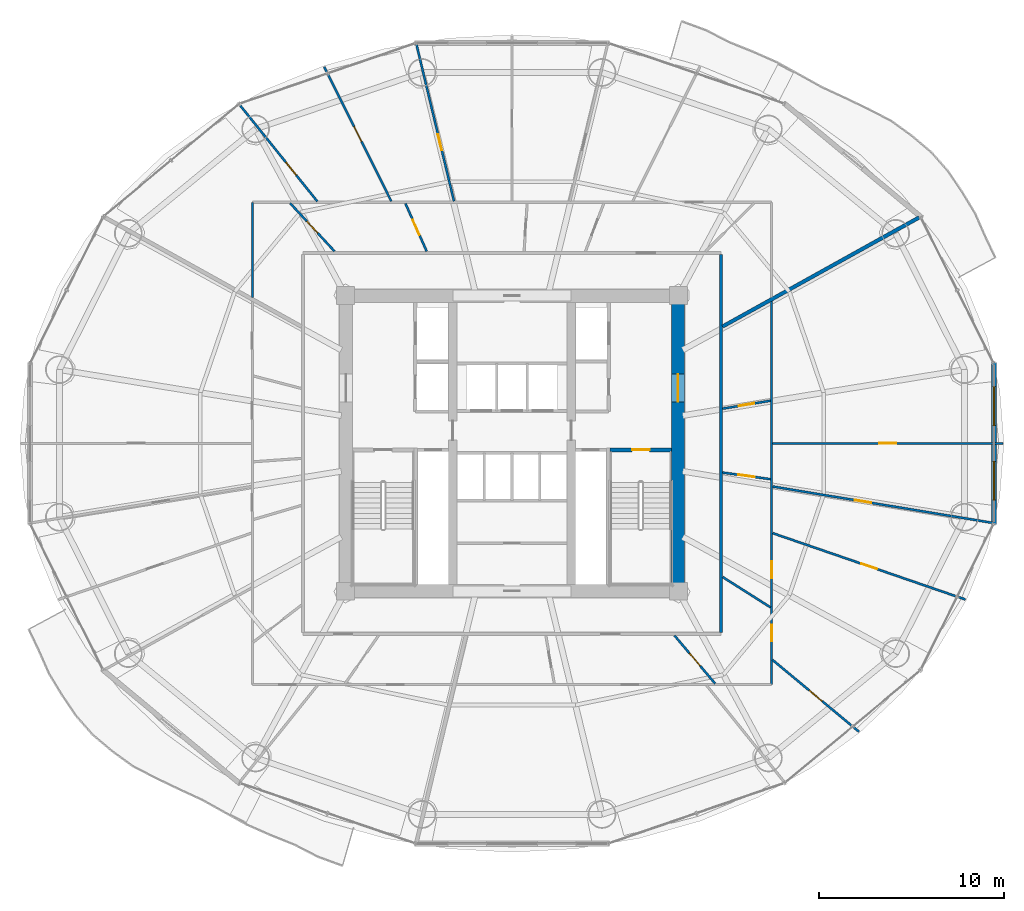
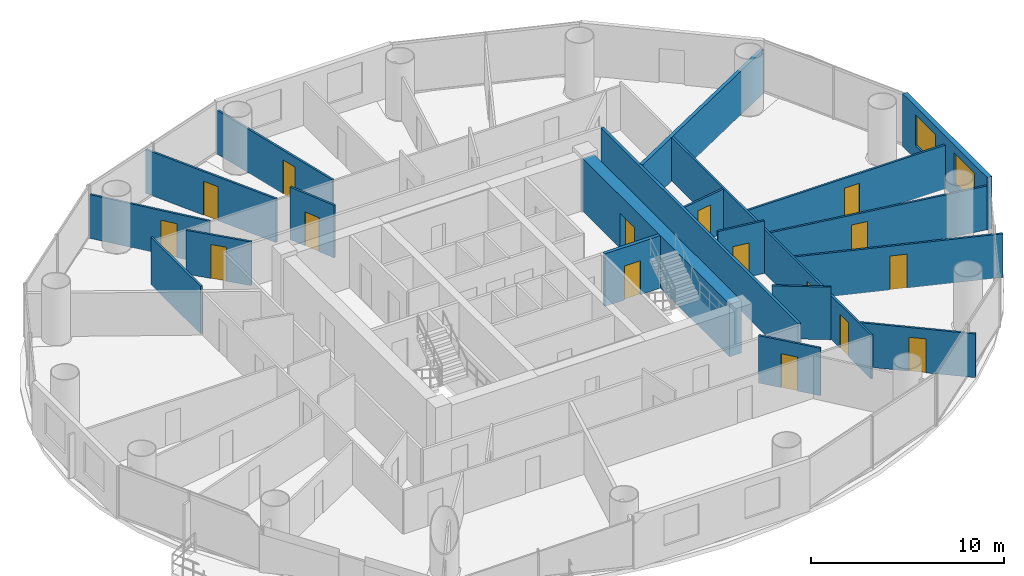
# One storey, part 24 of 29: 20 walls, 16 doors, 2 windows, 18 openings.
"""IFC4 building model written with IfcOpenShell, lengths in metres."""

from ifc_helpers import new_model, si_unit, direction, frame, frame_2d, origin, place, context, subcontext, project, spatial, rectangle, extrude, source, transform, mapped, material, layer, layer_set, type_object, element, fill, save


model = new_model("IFC4")

# Units and contexts
model_context = context("Model", 3, precision=1e-05, world=origin(), true_north=direction((-0.2419218956, 0.970295726276)))
body_context = subcontext(model_context, "Body", "Model", "MODEL_VIEW")
ifc_project = project(units=[si_unit("LENGTHUNIT", "METRE"), si_unit("AREAUNIT", "SQUARE_METRE"), si_unit("VOLUMEUNIT", "CUBIC_METRE"), si_unit("PLANEANGLEUNIT", "RADIAN"), si_unit("MASSUNIT", "GRAM", prefix="KILO")], contexts=[model_context])

# Site, building, storey
site_placement = place(None, origin())
site = spatial("IfcSite", under=ifc_project, at=site_placement, CompositionType="ELEMENT")
building_placement = place(site_placement, origin())
building = spatial("IfcBuilding", under=site, at=building_placement, Name="Cobrevalo Terracotta Tower", CompositionType="ELEMENT")
storey_placement = place(building_placement, frame((0.0, 0.0, 97.800048828125)))
storey = spatial("IfcBuildingStorey", under=building, at=storey_placement, Name="L25", CompositionType="ELEMENT", Elevation=97.800048828125)

# Wall, opening, door
ifc_material_1 = material(Name="Concrete C60", Category="concrete")
ifc_layer_1 = layer(ifc_material_1, 0.699951171875)
ifc_layer_set_1 = layer_set([ifc_layer_1], Name="Concrete C60")
wall_type_1 = type_object("IfcWallType", Name="Core shear wall 700 mm Concrete C60", PredefinedType="SHEAR", material=ifc_layer_set_1)
wall_1_placement = place(storey_placement, frame((46.97509765625, 19.175048828125, 0.0), z_axis=(0.0, 0.0, 1.0), x_axis=(0.0, 1.0, 0.0)))
wall_1 = element("IfcWall", 1, at=wall_1_placement, inside=storey, type_object=wall_type_1, Name="L25 east core shear wall", PredefinedType="SHEAR", context=body_context, shape_type="SweptSolid", body=[
    extrude(rectangle(XDim=15.25, YDim=0.699951171875, at=frame_2d((7.625, 0.0))), origin(), (0.0, 0.0, 1.0), 3.324951171875),
])
opening_1_placement = place(wall_1_placement, frame((9.875, 0.0, 0.0)))
opening_1 = element("IfcOpeningElement", 2, at=opening_1_placement, cuts=wall_1, Name="Opening ID-14", PredefinedType="OPENING", context=body_context, shape_type="SweptSolid", body=[
    extrude(rectangle(XDim=1.5, YDim=2.199951171875, at=frame_2d((0.75, 1.10009765625))), frame((0.0, 0.35986328125, 0.0), z_axis=(0.0, -1.0, 0.0), x_axis=(1.0, 0.0, 0.0)), (0.0, 0.0, 1.0), 0.719970703125),
])
ifc_material_2 = material(Name="Galvanized fire-rated steel", Category="steel")
door_type_1 = type_object("IfcDoorType", Name="Core cross-lobby double fire door 1500x2200 EI 90", OperationType="NOTDEFINED", PredefinedType="DOOR", material=ifc_material_2)
shared_shape_1 = source(origin(), body_context, "Body", "SweptSolid", [
    extrude(rectangle(XDim=1.5, YDim=2.199951171875, at=frame_2d((0.75, 1.10009765625))), frame((0.0, 0.02490234375, 0.0), z_axis=(0.0, -1.0, 0.0), x_axis=(1.0, 0.0, 0.0)), (0.0, 0.0, 1.0), 0.050048828125),
])
door_1_placement = place(opening_1_placement, frame((1.5, 0.0, 0.0), z_axis=(0.0, 0.0, 1.0), x_axis=(-1.0, 0.0, 0.0)))
door_1 = element("IfcDoor", 3, at=door_1_placement, inside=storey, type_object=door_type_1, Name="L25 east firefighting lobby entrance door", OperationType="DOUBLE_DOOR_SINGLE_SWING", OverallHeight=2.199951171875, OverallWidth=1.5, PredefinedType="DOOR", context=body_context, shape_type="MappedRepresentation", body=[
    mapped(shared_shape_1, transform((0.0, 0.0, 0.0), scale=1.0)),
])
fill(opening_1, door_1)

# Walls
ifc_material_3 = material(Name="Gypsum board on steel stud", Category="steel")
ifc_layer_2 = layer(ifc_material_3, 0.159912109375)
ifc_layer_set_2 = layer_set([ifc_layer_2], Name="Gypsum board on steel stud")
wall_type_2 = type_object("IfcWallType", Name="Fire-rated corridor acoustic partition wall 160 mm", PredefinedType="PARTITIONING", material=ifc_layer_set_2)
wall_2_placement = place(storey_placement, frame((49.304931640625, 16.574951171875, 0.0), z_axis=(0.0, 0.0, 1.0), x_axis=(0.0, 1.0, 0.0)))
element("IfcWall", 4, at=wall_2_placement, inside=storey, type_object=wall_type_2, Name="L25 interior partition IW-L25-COR-E", PredefinedType="PARTITIONING", context=body_context, shape_type="SweptSolid", body=[
    extrude(rectangle(XDim=20.449951171875, YDim=0.159912109375, at=frame_2d((10.22509765625, 0.0))), origin(), (0.0, 0.0, 1.0), 2.766845703125),
])
ifc_material_4 = material(Name="Autoclaved aerated concrete block", Category="concrete")
ifc_layer_3 = layer(ifc_material_4, 0.199951171875)
ifc_layer_set_3 = layer_set([ifc_layer_3], Name="Autoclaved aerated concrete block")
wall_type_3 = type_object("IfcWallType", Name="Fire-rated stair, shaft & demising masonry wall 200 mm", PredefinedType="PARTITIONING", material=ifc_layer_set_3)
wall_3_placement = place(storey_placement, frame((49.38671875, 33.121337890625, 0.0), z_axis=(0.0, 0.0, 1.0), x_axis=(0.874320165728, 0.485349613992, 0.0)))
element("IfcWall", 5, at=wall_3_placement, inside=storey, type_object=wall_type_3, Name="L25 interior partition IW-L25-DEM-1", PredefinedType="PARTITIONING", context=body_context, shape_type="SweptSolid", body=[
    extrude(rectangle(XDim=12.156494140625, YDim=0.199951171875, at=frame_2d((6.078125, 0.0))), origin(), (0.0, 0.0, 1.0), 2.766845703125),
])

# Wall, openings, windows
ifc_layer_4 = layer(ifc_material_4, 0.280029296875)
ifc_layer_set_4 = layer_set([ifc_layer_4], Name="Autoclaved aerated concrete block")
wall_type_4 = type_object("IfcWallType", Name="Insulated tower spandrel & pier wall 280 mm with terracotta rainscreen", PredefinedType="SOLIDWALL", material=ifc_layer_set_4)
wall_4_placement = place(storey_placement, frame((64.0595703125, 22.414306640625, 0.0), z_axis=(0.0, 0.0, 1.0), x_axis=(0.0, 1.0, 0.0)))
wall_4 = element("IfcWall", 6, at=wall_4_placement, inside=storey, type_object=wall_type_4, Name="L25 terracotta rainscreen pier wall S16", PredefinedType="SOLIDWALL", context=body_context, shape_type="SweptSolid", body=[
    extrude(rectangle(XDim=8.771240234375, YDim=0.280029296875, at=frame_2d((4.3857421875, 0.0))), origin(), (0.0, 0.0, 1.0), 3.324951171875),
])
opening_2_placement = place(wall_4_placement, frame((1.318115234375, 0.0, 0.85009765625)))
opening_2 = element("IfcOpeningElement", 7, at=opening_2_placement, cuts=wall_4, Name="Opening WN-10", PredefinedType="OPENING", context=body_context, shape_type="SweptSolid", body=[
    extrude(rectangle(XDim=2.10009765625, YDim=1.949951171875, at=frame_2d((1.050048828125, 0.97509765625))), frame((0.0, 0.14990234375, 0.0), z_axis=(0.0, -1.0, 0.0), x_axis=(1.0, 0.0, 0.0)), (0.0, 0.0, 1.0), 0.300048828125),
])
opening_3_placement = place(wall_4_placement, frame((5.35302734375, 0.0, 0.85009765625)))
opening_3 = element("IfcOpeningElement", 8, at=opening_3_placement, cuts=wall_4, Name="Opening WN-10", PredefinedType="OPENING", context=body_context, shape_type="SweptSolid", body=[
    extrude(rectangle(XDim=2.10009765625, YDim=1.949951171875, at=frame_2d((1.050048828125, 0.97509765625))), frame((0.0, 0.14990234375, 0.0), z_axis=(0.0, -1.0, 0.0), x_axis=(1.0, 0.0, 0.0)), (0.0, 0.0, 1.0), 0.300048828125),
])
ifc_material_5 = material(Name="Solar-control low-E double glazing", Category="glass")
window_type = type_object("IfcWindowType", Name="Wide panoramic low-E aluminium window 2100x1950", PartitioningType="SINGLE_PANEL", PredefinedType="WINDOW", material=ifc_material_5)
shared_shape_2 = source(origin(), body_context, "Body", "SweptSolid", [
    extrude(rectangle(XDim=2.10009765625, YDim=1.949951171875, at=frame_2d((1.050048828125, 0.97509765625))), frame((0.0, 0.030029296875, 0.0), z_axis=(0.0, -1.0, 0.0), x_axis=(1.0, 0.0, 0.0)), (0.0, 0.0, 1.0), 0.06005859375),
])
window_1_placement = place(opening_2_placement, origin())
window_1 = element("IfcWindow", 9, at=window_1_placement, inside=storey, type_object=window_type, Name="L25 suite window S16A", OverallHeight=1.949951171875, OverallWidth=2.10009765625, PartitioningType="SINGLE_PANEL", PredefinedType="WINDOW", context=body_context, shape_type="MappedRepresentation", body=[
    mapped(shared_shape_2, transform((0.0, 0.0, 0.0), scale=1.0)),
])
fill(opening_2, window_1)
window_2_placement = place(opening_3_placement, origin())
window_2 = element("IfcWindow", 10, at=window_2_placement, inside=storey, type_object=window_type, Name="L25 suite window S16B", OverallHeight=1.949951171875, OverallWidth=2.10009765625, PartitioningType="SINGLE_PANEL", PredefinedType="WINDOW", context=body_context, shape_type="MappedRepresentation", body=[
    mapped(shared_shape_2, transform((0.0, 0.0, 0.0), scale=1.0)),
])
fill(opening_3, window_2)

# Wall
ifc_layer_5 = layer(ifc_material_3, 0.1201171875)
ifc_layer_set_5 = layer_set([ifc_layer_5], Name="Gypsum board on steel stud")
wall_type_5 = type_object("IfcWallType", Name="Residential internal acoustic stud partition 120 mm", PredefinedType="PARTITIONING", material=ifc_layer_set_5)
wall_5_placement = place(storey_placement, frame((23.965087890625, 34.693359375, 0.0), z_axis=(0.0, 0.0, 1.0), x_axis=(0.0, 1.0, 0.0)))
element("IfcWall", 11, at=wall_5_placement, inside=storey, type_object=wall_type_5, Name="L25 interior partition IW-L25-U1-RING0_0", PredefinedType="PARTITIONING", context=body_context, shape_type="SweptSolid", body=[
    extrude(rectangle(XDim=5.1416015625, YDim=0.1201171875, at=frame_2d((2.57080078125, 0.0))), origin(), (0.0, 0.0, 1.0), 3.00390625),
])

# Wall, opening, door
wall_6_placement = place(storey_placement, frame((34.86474609375, 39.895263671875, 0.0), z_axis=(0.0, 0.0, 1.0), x_axis=(-0.23282725047, 0.97251810854, 0.0)))
wall_6 = element("IfcWall", 12, at=wall_6_placement, inside=storey, type_object=wall_type_5, Name="L25 interior partition IW-L25-U1-ORAD3", PredefinedType="PARTITIONING", context=body_context, shape_type="SweptSolid", body=[
    extrude(rectangle(XDim=8.71484375, YDim=0.1201171875, at=frame_2d((4.357421875, 0.0))), origin(), (0.0, 0.0, 1.0), 2.766845703125),
])
opening_4_placement = place(wall_6_placement, frame((2.830078125, 0.0, 0.0)))
opening_4 = element("IfcOpeningElement", 13, at=opening_4_placement, cuts=wall_6, Name="Opening ID-12", PredefinedType="OPENING", context=body_context, shape_type="SweptSolid", body=[
    extrude(rectangle(XDim=0.89990234375, YDim=2.14990234375, at=frame_2d((0.449951171875, 1.074951171875))), frame((0.0, 0.070068359375, 0.0), z_axis=(0.0, -1.0, 0.0), x_axis=(1.0, 0.0, 0.0)), (0.0, 0.0, 1.0), 0.14013671875),
])
ifc_material_6 = material(Name="Engineered timber", Category="wood")
door_type_2 = type_object("IfcDoorType", Name="Internal residence & suite timber door 900x2150", OperationType="NOTDEFINED", PredefinedType="DOOR", material=ifc_material_6)
shared_shape_3 = source(origin(), body_context, "Body", "SweptSolid", [
    extrude(rectangle(XDim=0.89990234375, YDim=2.14990234375, at=frame_2d((0.449951171875, 1.074951171875))), frame((0.0, 0.02490234375, 0.0), z_axis=(0.0, -1.0, 0.0), x_axis=(1.0, 0.0, 0.0)), (0.0, 0.0, 1.0), 0.050048828125),
])
door_2_placement = place(opening_4_placement, origin())
door_2 = element("IfcDoor", 14, at=door_2_placement, inside=storey, type_object=door_type_2, Name="Flat L25A South Bedroom internal door", OperationType="SINGLE_SWING_LEFT", OverallHeight=2.14990234375, OverallWidth=0.89990234375, PredefinedType="DOOR", context=body_context, shape_type="MappedRepresentation", body=[
    mapped(shared_shape_3, transform((0.0, 0.0, 0.0), scale=1.0)),
])
fill(opening_4, door_2)

wall_7_placement = place(storey_placement, frame((31.4736328125, 39.890380859375, 0.0), z_axis=(0.0, 0.0, 1.0), x_axis=(-0.446167584581, 0.894949432353, 0.0)))
wall_7 = element("IfcWall", 15, at=wall_7_placement, inside=storey, type_object=wall_type_5, Name="L25 interior partition IW-L25-U1-ORAD4M1", PredefinedType="PARTITIONING", context=body_context, shape_type="SweptSolid", body=[
    extrude(rectangle(XDim=8.124755859375, YDim=0.1201171875, at=frame_2d((4.0625, 0.0))), origin(), (0.0, 0.0, 1.0), 2.766845703125),
])
opening_5_placement = place(wall_7_placement, frame((3.6123046875, 0.0, 0.0)))
opening_5 = element("IfcOpeningElement", 16, at=opening_5_placement, cuts=wall_7, Name="Opening ID-12", PredefinedType="OPENING", context=body_context, shape_type="SweptSolid", body=[
    extrude(rectangle(XDim=0.89990234375, YDim=2.14990234375, at=frame_2d((0.449951171875, 1.074951171875))), frame((0.0, 0.070068359375, 0.0), z_axis=(0.0, -1.0, 0.0), x_axis=(1.0, 0.0, 0.0)), (0.0, 0.0, 1.0), 0.14013671875),
])
door_3_placement = place(opening_5_placement, origin())
door_3 = element("IfcDoor", 17, at=door_3_placement, inside=storey, type_object=door_type_2, Name="Flat L25A Penthouse Family Lounge internal door", OperationType="SINGLE_SWING_RIGHT", OverallHeight=2.14990234375, OverallWidth=0.89990234375, PredefinedType="DOOR", context=body_context, shape_type="MappedRepresentation", body=[
    mapped(shared_shape_3, transform((0.0, 0.0, 0.0), scale=1.0)),
])
fill(opening_5, door_3)

wall_8_placement = place(storey_placement, frame((27.47802734375, 39.88330078125, 0.0), z_axis=(0.0, 0.0, 1.0), x_axis=(-0.62672583251, 0.779239841682, 0.0)))
wall_8 = element("IfcWall", 18, at=wall_8_placement, inside=storey, type_object=wall_type_5, Name="L25 interior partition IW-L25-U1-ORAD4", PredefinedType="PARTITIONING", context=body_context, shape_type="SweptSolid", body=[
    extrude(rectangle(XDim=6.678466796875, YDim=0.1201171875, at=frame_2d((3.33935546875, 0.0))), origin(), (0.0, 0.0, 1.0), 2.766845703125),
])
opening_6_placement = place(wall_8_placement, frame((1.8212890625, 0.0, 0.0)))
opening_6 = element("IfcOpeningElement", 19, at=opening_6_placement, cuts=wall_8, Name="Opening ID-12", PredefinedType="OPENING", context=body_context, shape_type="SweptSolid", body=[
    extrude(rectangle(XDim=0.89990234375, YDim=2.14990234375, at=frame_2d((0.449951171875, 1.074951171875))), frame((0.0, 0.070068359375, 0.0), z_axis=(0.0, -1.0, 0.0), x_axis=(1.0, 0.0, 0.0)), (0.0, 0.0, 1.0), 0.14013671875),
])
door_4_placement = place(opening_6_placement, origin())
door_4 = element("IfcDoor", 20, at=door_4_placement, inside=storey, type_object=door_type_2, Name="Flat L25A Penthouse Family Lounge internal door", OperationType="SINGLE_SWING_LEFT", OverallHeight=2.14990234375, OverallWidth=0.89990234375, PredefinedType="DOOR", context=body_context, shape_type="MappedRepresentation", body=[
    mapped(shared_shape_3, transform((0.0, 0.0, 0.0), scale=1.0)),
])
fill(opening_6, door_4)

wall_9_placement = place(storey_placement, frame((33.388671875, 37.18505859375, 0.0), z_axis=(0.0, 0.0, 1.0), x_axis=(-0.40585903307, 0.913935689902, 0.0)))
wall_9 = element("IfcWall", 21, at=wall_9_placement, inside=storey, type_object=wall_type_5, Name="L25 interior partition IW-L25-U1-IRAD4", PredefinedType="PARTITIONING", context=body_context, shape_type="SweptSolid", body=[
    extrude(rectangle(XDim=2.83740234375, YDim=0.1201171875, at=frame_2d((1.418701171875, 0.0))), origin(), (0.0, 0.0, 1.0), 3.324951171875),
])
opening_7_placement = place(wall_9_placement, frame((0.96875, 0.0, 0.0)))
opening_7 = element("IfcOpeningElement", 22, at=opening_7_placement, cuts=wall_9, Name="Opening ID-12", PredefinedType="OPENING", context=body_context, shape_type="SweptSolid", body=[
    extrude(rectangle(XDim=0.89990234375, YDim=2.14990234375, at=frame_2d((0.449951171875, 1.074951171875))), frame((0.0, 0.070068359375, 0.0), z_axis=(0.0, -1.0, 0.0), x_axis=(1.0, 0.0, 0.0)), (0.0, 0.0, 1.0), 0.14013671875),
])
door_5_placement = place(opening_7_placement, origin())
door_5 = element("IfcDoor", 23, at=door_5_placement, inside=storey, type_object=door_type_2, Name="Flat L25A Private Wellness Room internal door", OperationType="SINGLE_SWING_RIGHT", OverallHeight=2.14990234375, OverallWidth=0.89990234375, PredefinedType="DOOR", context=body_context, shape_type="MappedRepresentation", body=[
    mapped(shared_shape_3, transform((0.0, 0.0, 0.0), scale=1.0)),
])
fill(opening_7, door_5)

wall_10_placement = place(storey_placement, frame((28.40869140625, 37.18505859375, 0.0), z_axis=(0.0, 0.0, 1.0), x_axis=(-0.678451695105, 0.734645014554, 0.0)))
wall_10 = element("IfcWall", 24, at=wall_10_placement, inside=storey, type_object=wall_type_5, Name="L25 interior partition IW-L25-U1-IRAD5", PredefinedType="PARTITIONING", context=body_context, shape_type="SweptSolid", body=[
    extrude(rectangle(XDim=3.545166015625, YDim=0.1201171875, at=frame_2d((1.7724609375, 0.0))), origin(), (0.0, 0.0, 1.0), 2.766845703125),
])
opening_8_placement = place(wall_10_placement, frame((1.342529296875, 0.0, 0.0)))
opening_8 = element("IfcOpeningElement", 25, at=opening_8_placement, cuts=wall_10, Name="Opening ID-19", PredefinedType="OPENING", context=body_context, shape_type="SweptSolid", body=[
    extrude(rectangle(XDim=0.860107421875, YDim=2.14990234375, at=frame_2d((0.43017578125, 1.074951171875))), frame((0.0, 0.070068359375, 0.0), z_axis=(0.0, -1.0, 0.0), x_axis=(1.0, 0.0, 0.0)), (0.0, 0.0, 1.0), 0.14013671875),
])
ifc_material_7 = material(Name="Moisture-sealed timber", Category="wood")
door_type_3 = type_object("IfcDoorType", Name="Suite bathroom internal timber door 860x2150", OperationType="NOTDEFINED", PredefinedType="DOOR", material=ifc_material_7)
shared_shape_4 = source(origin(), body_context, "Body", "SweptSolid", [
    extrude(rectangle(XDim=0.860107421875, YDim=2.14990234375, at=frame_2d((0.43017578125, 1.074951171875))), frame((0.0, 0.02490234375, 0.0), z_axis=(0.0, -1.0, 0.0), x_axis=(1.0, 0.0, 0.0)), (0.0, 0.0, 1.0), 0.050048828125),
])
door_6_placement = place(opening_8_placement, origin())
door_6 = element("IfcDoor", 26, at=door_6_placement, inside=storey, type_object=door_type_3, Name="Flat L25A Guest Bathroom internal door", OperationType="SINGLE_SWING_LEFT", OverallHeight=2.14990234375, OverallWidth=0.860107421875, PredefinedType="DOOR", context=body_context, shape_type="MappedRepresentation", body=[
    mapped(shared_shape_4, transform((0.0, 0.0, 0.0), scale=1.0)),
])
fill(opening_8, door_6)

# Wall, openings, doors
wall_11_placement = place(storey_placement, frame((52.034912109375, 34.489501953125, 0.0), z_axis=(0.0, 0.0, 1.0), x_axis=(0.0, -1.0, 0.0)))
wall_11 = element("IfcWall", 27, at=wall_11_placement, inside=storey, type_object=wall_type_5, Name="L25 interior partition IW-L25-U3-RING0_0", PredefinedType="PARTITIONING", context=body_context, shape_type="SweptSolid", body=[
    extrude(rectangle(XDim=20.724609375, YDim=0.1201171875, at=frame_2d((10.3623046875, 0.0))), origin(), (0.0, 0.0, 1.0), 2.766845703125),
])
opening_9_placement = place(wall_11_placement, frame((17.4931640625, 0.0, 0.0)))
opening_9 = element("IfcOpeningElement", 28, at=opening_9_placement, cuts=wall_11, Name="Opening ID-12", PredefinedType="OPENING", context=body_context, shape_type="SweptSolid", body=[
    extrude(rectangle(XDim=0.89990234375, YDim=2.14990234375, at=frame_2d((0.449951171875, 1.074951171875))), frame((0.0, 0.070068359375, 0.0), z_axis=(0.0, -1.0, 0.0), x_axis=(1.0, 0.0, 0.0)), (0.0, 0.0, 1.0), 0.14013671875),
])
opening_10_placement = place(wall_11_placement, frame((14.06396484375, 0.0, 0.0)))
opening_10 = element("IfcOpeningElement", 29, at=opening_10_placement, cuts=wall_11, Name="Opening ID-12", PredefinedType="OPENING", context=body_context, shape_type="SweptSolid", body=[
    extrude(rectangle(XDim=0.89990234375, YDim=2.14990234375, at=frame_2d((0.449951171875, 1.074951171875))), frame((0.0, 0.070068359375, 0.0), z_axis=(0.0, -1.0, 0.0), x_axis=(1.0, 0.0, 0.0)), (0.0, 0.0, 1.0), 0.14013671875),
])
door_7_placement = place(opening_9_placement, origin())
door_7 = element("IfcDoor", 30, at=door_7_placement, inside=storey, type_object=door_type_2, Name="Flat L25C Penthouse Family Lounge internal door", OperationType="SINGLE_SWING_RIGHT", OverallHeight=2.14990234375, OverallWidth=0.89990234375, PredefinedType="DOOR", context=body_context, shape_type="MappedRepresentation", body=[
    mapped(shared_shape_3, transform((0.0, 0.0, 0.0), scale=1.0)),
])
fill(opening_9, door_7)
door_8_placement = place(opening_10_placement, frame((0.89990234375, 0.0, 0.0), z_axis=(0.0, 0.0, 1.0), x_axis=(-1.0, 0.0, 0.0)))
door_8 = element("IfcDoor", 31, at=door_8_placement, inside=storey, type_object=door_type_2, Name="Flat L25C Utility Closet internal door", OperationType="SINGLE_SWING_LEFT", OverallHeight=2.14990234375, OverallWidth=0.89990234375, PredefinedType="DOOR", context=body_context, shape_type="MappedRepresentation", body=[
    mapped(shared_shape_3, transform((0.0, 0.0, 0.0), scale=1.0)),
])
fill(opening_10, door_8)

# Wall, opening, door
wall_12_placement = place(storey_placement, frame((52.082763671875, 15.099609375, 0.0), z_axis=(0.0, 0.0, 1.0), x_axis=(0.769161827891, -0.63905405289, 0.0)))
wall_12 = element("IfcWall", 32, at=wall_12_placement, inside=storey, type_object=wall_type_5, Name="L25 interior partition IW-L25-U3-ORAD2M1", PredefinedType="PARTITIONING", context=body_context, shape_type="SweptSolid", body=[
    extrude(rectangle(XDim=6.07958984375, YDim=0.1201171875, at=frame_2d((3.039794921875, 0.0))), origin(), (0.0, 0.0, 1.0), 2.766845703125),
])
opening_11_placement = place(wall_12_placement, frame((2.58984375, 0.0, 0.0)))
opening_11 = element("IfcOpeningElement", 33, at=opening_11_placement, cuts=wall_12, Name="Opening ID-12", PredefinedType="OPENING", context=body_context, shape_type="SweptSolid", body=[
    extrude(rectangle(XDim=0.89990234375, YDim=2.14990234375, at=frame_2d((0.449951171875, 1.074951171875))), frame((0.0, 0.070068359375, 0.0), z_axis=(0.0, -1.0, 0.0), x_axis=(1.0, 0.0, 0.0)), (0.0, 0.0, 1.0), 0.14013671875),
])
door_9_placement = place(opening_11_placement, frame((0.89990234375, 0.0, 0.0), z_axis=(0.0, 0.0, 1.0), x_axis=(-1.0, 0.0, 0.0)))
door_9 = element("IfcDoor", 34, at=door_9_placement, inside=storey, type_object=door_type_2, Name="Flat L25C Master Bedroom internal door", OperationType="SINGLE_SWING_RIGHT", OverallHeight=2.14990234375, OverallWidth=0.89990234375, PredefinedType="DOOR", context=body_context, shape_type="MappedRepresentation", body=[
    mapped(shared_shape_3, transform((0.0, 0.0, 0.0), scale=1.0)),
])
fill(opening_11, door_9)

wall_13_placement = place(storey_placement, frame((52.09375, 21.94970703125, 0.0), z_axis=(0.0, 0.0, 1.0), x_axis=(0.945573120726, -0.32540970078, 0.0)))
wall_13 = element("IfcWall", 35, at=wall_13_placement, inside=storey, type_object=wall_type_5, Name="L25 interior partition IW-L25-U3-ORAD2", PredefinedType="PARTITIONING", context=body_context, shape_type="SweptSolid", body=[
    extrude(rectangle(XDim=11.02197265625, YDim=0.1201171875, at=frame_2d((5.510986328125, 0.0))), origin(), (0.0, 0.0, 1.0), 2.766845703125),
])
opening_12_placement = place(wall_13_placement, frame((5.06103515625, 0.0, 0.0)))
opening_12 = element("IfcOpeningElement", 36, at=opening_12_placement, cuts=wall_13, Name="Opening ID-12", PredefinedType="OPENING", context=body_context, shape_type="SweptSolid", body=[
    extrude(rectangle(XDim=0.89990234375, YDim=2.14990234375, at=frame_2d((0.449951171875, 1.074951171875))), frame((0.0, 0.070068359375, 0.0), z_axis=(0.0, -1.0, 0.0), x_axis=(1.0, 0.0, 0.0)), (0.0, 0.0, 1.0), 0.14013671875),
])
door_10_placement = place(opening_12_placement, origin())
door_10 = element("IfcDoor", 37, at=door_10_placement, inside=storey, type_object=door_type_2, Name="Flat L25C Principal Guest Bedroom internal door", OperationType="SINGLE_SWING_LEFT", OverallHeight=2.14990234375, OverallWidth=0.89990234375, PredefinedType="DOOR", context=body_context, shape_type="MappedRepresentation", body=[
    mapped(shared_shape_3, transform((0.0, 0.0, 0.0), scale=1.0)),
])
fill(opening_12, door_10)

wall_14_placement = place(storey_placement, frame((52.09619140625, 24.470458984375, 0.0), z_axis=(0.0, 0.0, 1.0), x_axis=(0.986618264768, -0.163047231274, 0.0)))
wall_14 = element("IfcWall", 38, at=wall_14_placement, inside=storey, type_object=wall_type_5, Name="L25 interior partition IW-L25-U3-ORAD3M1", PredefinedType="PARTITIONING", context=body_context, shape_type="SweptSolid", body=[
    extrude(rectangle(XDim=12.038818359375, YDim=0.1201171875, at=frame_2d((6.01953125, 0.0))), origin(), (0.0, 0.0, 1.0), 2.766845703125),
])
opening_13_placement = place(wall_14_placement, frame((4.495849609375, 0.0, 0.0)))
opening_13 = element("IfcOpeningElement", 39, at=opening_13_placement, cuts=wall_14, Name="Opening ID-12", PredefinedType="OPENING", context=body_context, shape_type="SweptSolid", body=[
    extrude(rectangle(XDim=0.89990234375, YDim=2.14990234375, at=frame_2d((0.449951171875, 1.074951171875))), frame((0.0, 0.070068359375, 0.0), z_axis=(0.0, -1.0, 0.0), x_axis=(1.0, 0.0, 0.0)), (0.0, 0.0, 1.0), 0.14013671875),
])
door_11_placement = place(opening_13_placement, origin())
door_11 = element("IfcDoor", 40, at=door_11_placement, inside=storey, type_object=door_type_2, Name="Flat L25C Principal Guest Bedroom internal door", OperationType="SINGLE_SWING_RIGHT", OverallHeight=2.14990234375, OverallWidth=0.89990234375, PredefinedType="DOOR", context=body_context, shape_type="MappedRepresentation", body=[
    mapped(shared_shape_3, transform((0.0, 0.0, 0.0), scale=1.0)),
])
fill(opening_13, door_11)

wall_15_placement = place(storey_placement, frame((52.096923828125, 26.800048828125, 0.0), z_axis=(0.0, 0.0, 1.0), x_axis=(1.0, 0.0, 0.0)))
wall_15 = element("IfcWall", 41, at=wall_15_placement, inside=storey, type_object=wall_type_5, Name="L25 interior partition IW-L25-U3-ORAD3", PredefinedType="PARTITIONING", context=body_context, shape_type="SweptSolid", body=[
    extrude(rectangle(XDim=12.443115234375, YDim=0.1201171875, at=frame_2d((6.2216796875, 0.0))), origin(), (0.0, 0.0, 1.0), 2.766845703125),
])
opening_14_placement = place(wall_15_placement, frame((5.771484375, 0.0, 0.0)))
opening_14 = element("IfcOpeningElement", 42, at=opening_14_placement, cuts=wall_15, Name="Opening ID-12", PredefinedType="OPENING", context=body_context, shape_type="SweptSolid", body=[
    extrude(rectangle(XDim=0.89990234375, YDim=2.14990234375, at=frame_2d((0.449951171875, 1.074951171875))), frame((0.0, 0.070068359375, 0.0), z_axis=(0.0, -1.0, 0.0), x_axis=(1.0, 0.0, 0.0)), (0.0, 0.0, 1.0), 0.14013671875),
])
door_12_placement = place(opening_14_placement, origin())
door_12 = element("IfcDoor", 43, at=door_12_placement, inside=storey, type_object=door_type_2, Name="Flat L25C Penthouse Family Lounge internal door", OperationType="SINGLE_SWING_LEFT", OverallHeight=2.14990234375, OverallWidth=0.89990234375, PredefinedType="DOOR", context=body_context, shape_type="MappedRepresentation", body=[
    mapped(shared_shape_3, transform((0.0, 0.0, 0.0), scale=1.0)),
])
fill(opening_14, door_12)

wall_16_placement = place(storey_placement, frame((46.784912109375, 16.4150390625, 0.0), z_axis=(0.0, 0.0, 1.0), x_axis=(0.64582345164, -0.76348678398, 0.0)))
wall_16 = element("IfcWall", 44, at=wall_16_placement, inside=storey, type_object=wall_type_5, Name="L25 interior partition IW-L25-U3-IRAD2", PredefinedType="PARTITIONING", context=body_context, shape_type="SweptSolid", body=[
    extrude(rectangle(XDim=3.4091796875, YDim=0.1201171875, at=frame_2d((1.70458984375, 0.0))), origin(), (0.0, 0.0, 1.0), 3.00390625),
])
opening_15_placement = place(wall_16_placement, frame((1.25439453125, 0.0, 0.0)))
opening_15 = element("IfcOpeningElement", 45, at=opening_15_placement, cuts=wall_16, Name="Opening ID-12", PredefinedType="OPENING", context=body_context, shape_type="SweptSolid", body=[
    extrude(rectangle(XDim=0.89990234375, YDim=2.14990234375, at=frame_2d((0.449951171875, 1.074951171875))), frame((0.0, 0.070068359375, 0.0), z_axis=(0.0, -1.0, 0.0), x_axis=(1.0, 0.0, 0.0)), (0.0, 0.0, 1.0), 0.14013671875),
])
door_13_placement = place(opening_15_placement, origin())
door_13 = element("IfcDoor", 46, at=door_13_placement, inside=storey, type_object=door_type_2, Name="Flat L25C Kitchen internal door", OperationType="SINGLE_SWING_LEFT", OverallHeight=2.14990234375, OverallWidth=0.89990234375, PredefinedType="DOOR", context=body_context, shape_type="MappedRepresentation", body=[
    mapped(shared_shape_3, transform((0.0, 0.0, 0.0), scale=1.0)),
])
fill(opening_15, door_13)

# Wall
wall_17_placement = place(storey_placement, frame((49.38671875, 19.580078125, 0.0), z_axis=(0.0, 0.0, 1.0), x_axis=(0.844540118368, -0.535492286094, 0.0)))
element("IfcWall", 47, at=wall_17_placement, inside=storey, type_object=wall_type_5, Name="L25 interior partition IW-L25-U3-IRAD3", PredefinedType="PARTITIONING", context=body_context, shape_type="SweptSolid", body=[
    extrude(rectangle(XDim=3.07373046875, YDim=0.1201171875, at=frame_2d((1.536865234375, 0.0))), origin(), (0.0, 0.0, 1.0), 3.324951171875),
])

# Wall, opening, door
wall_18_placement = place(storey_placement, frame((49.386962890625, 25.225341796875, 0.0), z_axis=(0.0, 0.0, 1.0), x_axis=(0.990575253555, -0.136969584375, 0.0)))
wall_18 = element("IfcWall", 48, at=wall_18_placement, inside=storey, type_object=wall_type_5, Name="L25 interior partition IW-L25-U3-IRAD4", PredefinedType="PARTITIONING", context=body_context, shape_type="SweptSolid", body=[
    extrude(rectangle(XDim=2.611328125, YDim=0.1201171875, at=frame_2d((1.3056640625, 0.0))), origin(), (0.0, 0.0, 1.0), 3.324951171875),
])
opening_16_placement = place(wall_18_placement, frame((0.855712890625, 0.0, 0.0)))
opening_16 = element("IfcOpeningElement", 49, at=opening_16_placement, cuts=wall_18, Name="Opening ID-12", PredefinedType="OPENING", context=body_context, shape_type="SweptSolid", body=[
    extrude(rectangle(XDim=0.89990234375, YDim=2.14990234375, at=frame_2d((0.449951171875, 1.074951171875))), frame((0.0, 0.070068359375, 0.0), z_axis=(0.0, -1.0, 0.0), x_axis=(1.0, 0.0, 0.0)), (0.0, 0.0, 1.0), 0.14013671875),
])
door_14_placement = place(opening_16_placement, origin())
door_14 = element("IfcDoor", 50, at=door_14_placement, inside=storey, type_object=door_type_2, Name="Flat L25C Private Wellness Room internal door", OperationType="SINGLE_SWING_RIGHT", OverallHeight=2.14990234375, OverallWidth=0.89990234375, PredefinedType="DOOR", context=body_context, shape_type="MappedRepresentation", body=[
    mapped(shared_shape_3, transform((0.0, 0.0, 0.0), scale=1.0)),
])
fill(opening_16, door_14)

wall_19_placement = place(storey_placement, frame((49.386962890625, 28.681884765625, 0.0), z_axis=(0.0, 0.0, 1.0), x_axis=(0.986619477472, 0.163039892889, 0.0)))
wall_19 = element("IfcWall", 51, at=wall_19_placement, inside=storey, type_object=wall_type_5, Name="L25 interior partition IW-L25-U3-IRAD5", PredefinedType="PARTITIONING", context=body_context, shape_type="SweptSolid", body=[
    extrude(rectangle(XDim=2.6220703125, YDim=0.1201171875, at=frame_2d((1.31103515625, 0.0))), origin(), (0.0, 0.0, 1.0), 2.766845703125),
])
opening_17_placement = place(wall_19_placement, frame((0.881103515625, 0.0, 0.0)))
opening_17 = element("IfcOpeningElement", 52, at=opening_17_placement, cuts=wall_19, Name="Opening ID-19", PredefinedType="OPENING", context=body_context, shape_type="SweptSolid", body=[
    extrude(rectangle(XDim=0.860107421875, YDim=2.14990234375, at=frame_2d((0.43017578125, 1.074951171875))), frame((0.0, 0.070068359375, 0.0), z_axis=(0.0, -1.0, 0.0), x_axis=(1.0, 0.0, 0.0)), (0.0, 0.0, 1.0), 0.14013671875),
])
door_15_placement = place(opening_17_placement, origin())
door_15 = element("IfcDoor", 53, at=door_15_placement, inside=storey, type_object=door_type_3, Name="Flat L25C Guest Bathroom internal door", OperationType="SINGLE_SWING_LEFT", OverallHeight=2.14990234375, OverallWidth=0.860107421875, PredefinedType="DOOR", context=body_context, shape_type="MappedRepresentation", body=[
    mapped(shared_shape_4, transform((0.0, 0.0, 0.0), scale=1.0)),
])
fill(opening_17, door_15)

ifc_material_8 = material(Name="Concrete C50", Category="concrete")
ifc_layer_6 = layer(ifc_material_8, 0.199951171875)
ifc_layer_set_6 = layer_set([ifc_layer_6], Name="Concrete C50")
wall_type_6 = type_object("IfcWallType", Name="Structural core & podium stair-shaft RC wall 200 mm Concrete C50", PredefinedType="SOLIDWALL", material=ifc_layer_set_6)
wall_20_placement = place(storey_placement, frame((43.304931640625, 26.449951171875, 0.0), z_axis=(0.0, 0.0, 1.0), x_axis=(1.0, 0.0, 0.0)))
wall_20 = element("IfcWall", 54, at=wall_20_placement, inside=storey, type_object=wall_type_6, Name="L25 ST-2 north structural shaft wall", PredefinedType="SOLIDWALL", context=body_context, shape_type="SweptSolid", body=[
    extrude(rectangle(XDim=3.320068359375, YDim=0.199951171875, at=frame_2d((1.66015625, 0.0))), origin(), (0.0, 0.0, 1.0), 3.324951171875),
])
opening_18_placement = place(wall_20_placement, frame((1.18505859375, 0.0, 0.0)))
opening_18 = element("IfcOpeningElement", 55, at=opening_18_placement, cuts=wall_20, Name="Opening ID-04", PredefinedType="OPENING", context=body_context, shape_type="SweptSolid", body=[
    extrude(rectangle(XDim=0.949951171875, YDim=2.14990234375, at=frame_2d((0.47509765625, 1.074951171875))), frame((0.0, 0.10986328125, 0.0), z_axis=(0.0, -1.0, 0.0), x_axis=(1.0, 0.0, 0.0)), (0.0, 0.0, 1.0), 0.219970703125),
])
door_type_4 = type_object("IfcDoorType", Name="Stair & firefighting lobby fire door 950x2150 EI 90", OperationType="NOTDEFINED", PredefinedType="DOOR", material=ifc_material_2)
shared_shape_5 = source(origin(), body_context, "Body", "SweptSolid", [
    extrude(rectangle(XDim=0.949951171875, YDim=2.14990234375, at=frame_2d((0.47509765625, 1.074951171875))), frame((0.0, 0.02490234375, 0.0), z_axis=(0.0, -1.0, 0.0), x_axis=(1.0, 0.0, 0.0)), (0.0, 0.0, 1.0), 0.050048828125),
])
door_16_placement = place(opening_18_placement, frame((0.949951171875, 0.0, 0.0), z_axis=(0.0, 0.0, 1.0), x_axis=(-1.0, 0.0, 0.0)))
door_16 = element("IfcDoor", 56, at=door_16_placement, inside=storey, type_object=door_type_4, Name="L25 protected stair ST2 fire door", OperationType="SINGLE_SWING_RIGHT", OverallHeight=2.14990234375, OverallWidth=0.949951171875, PredefinedType="DOOR", context=body_context, shape_type="MappedRepresentation", body=[
    mapped(shared_shape_5, transform((0.0, 0.0, 0.0), scale=1.0)),
])
fill(opening_18, door_16)

save(model, "model.ifc")
